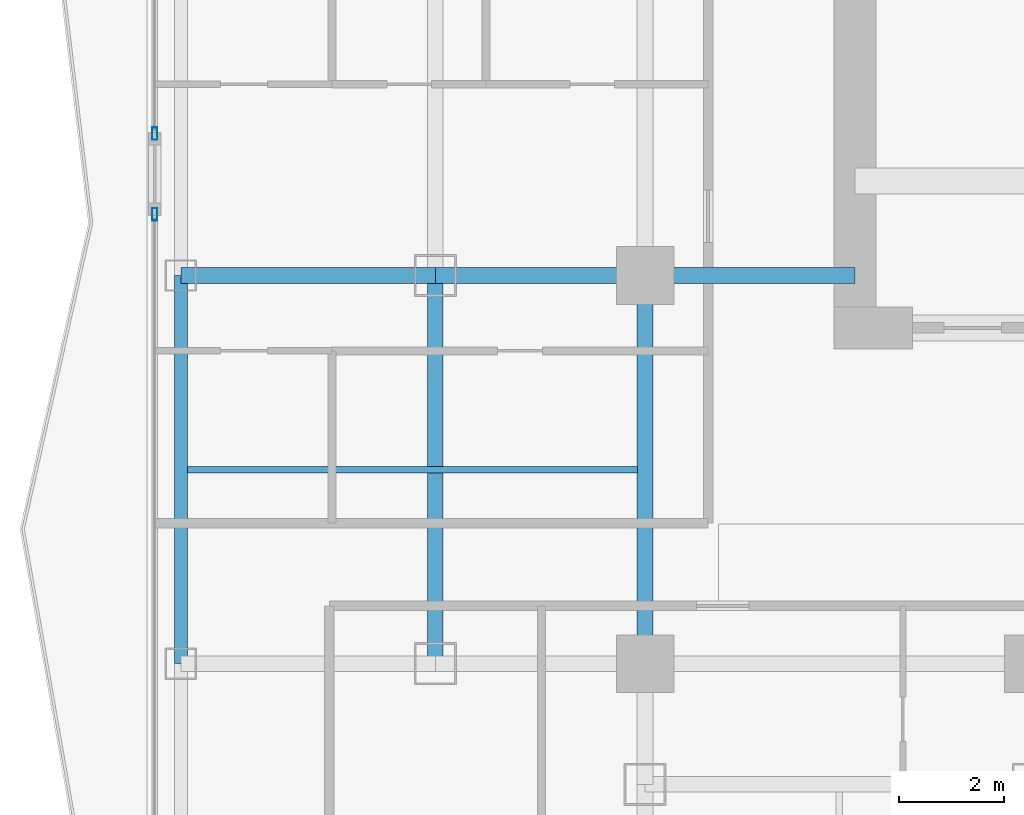
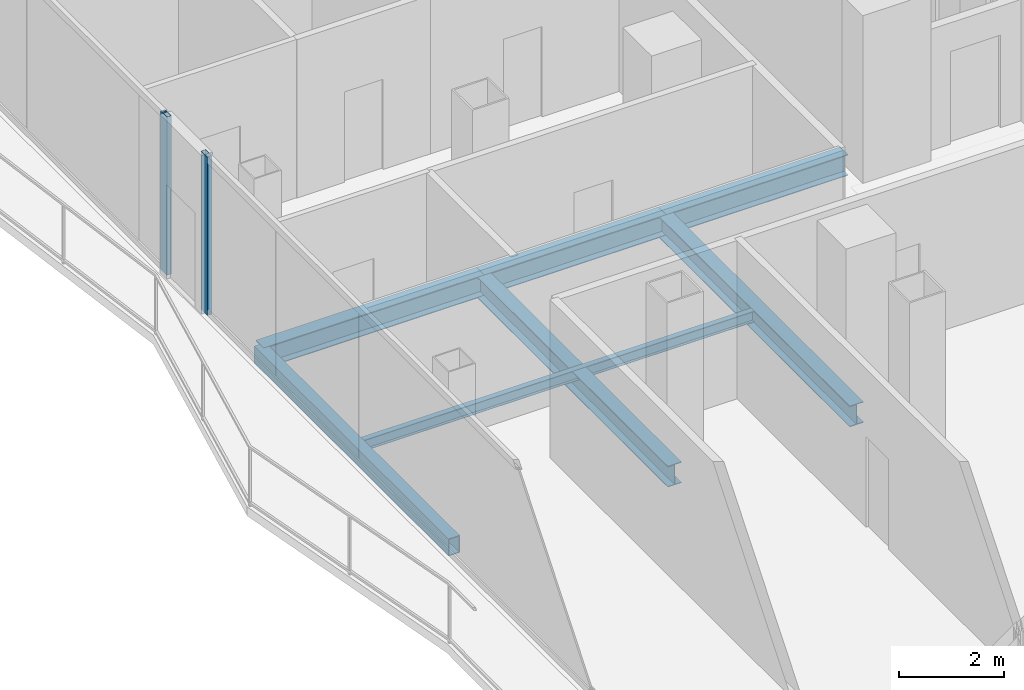
# One storey, part 5 of 23: 7 beams, 2 members, 2 elements without a shape of their own.
"""IFC4 building model written with IfcOpenShell, lengths in metres."""

import ifcopenshell
import ifcopenshell.guid

model = None  # the IFC model being written
_history = None  # IfcOwnerHistory: only IFC2X3 demands one
_inside = {}  # id of a spatial element -> (the spatial element, [elements in it])
_under = {}  # id of a project, library or spatial element -> (it, [spatial elements below it])
_declared = {}  # id of a project -> (the project, [libraries it declares])
_typed = {}  # id of a type object -> (the type object, [elements of that type])
_made_of = {}  # id of a material, layer set ... -> (it, [elements and type objects made of it])


def new_model(schema):
    """Start an empty IFC model of exactly this schema.

    Asked for "IFC4X3", IfcOpenShell would pick the latest addendum, in which some entities
    have other attributes; the version numbers below select the first issue.
    IFC2X3 requires an IfcOwnerHistory on every rooted entity: one is made here for all.
    """
    global model, _history
    if schema == "IFC4X3":
        model = ifcopenshell.file(schema_version=(4, 3, 0, 0))
    else:
        model = ifcopenshell.file(schema=schema)
    _inside.clear()
    _under.clear()
    _declared.clear()
    _typed.clear()
    _made_of.clear()
    _history = None
    if model.schema == "IFC2X3":
        org = make("IfcOrganization", Name="unknown")
        user = make(
            "IfcPersonAndOrganization",
            ThePerson=make("IfcPerson", FamilyName="unknown"),
            TheOrganization=org,
        )
        app = make(
            "IfcApplication",
            ApplicationDeveloper=org,
            Version="unknown",
            ApplicationFullName="unknown",
            ApplicationIdentifier="unknown",
        )
        _history = make(
            "IfcOwnerHistory",
            OwningUser=user,
            OwningApplication=app,
            ChangeAction="ADDED",
            CreationDate=0,
        )
    return model


def make(cls, **values):
    """One entity of the class cls with the attributes given. An attribute that is None is left unset."""
    return model.create_entity(
        cls, **{name: value for name, value in values.items() if value is not None}
    )


def rooted(cls, **values):
    """An entity with a GlobalId (a new one), such as an element, a storey or a relation."""
    return make(cls, GlobalId=ifcopenshell.guid.new(), OwnerHistory=_history, **values)


def si_unit(unit_type, name, prefix=None):
    """IfcSIUnit, for example si_unit("LENGTHUNIT", "METRE", prefix="MILLI")."""
    return make("IfcSIUnit", UnitType=unit_type, Prefix=prefix, Name=name)


def assignment(units):
    """IfcUnitAssignment: the units of a project."""
    return None if units is None else make("IfcUnitAssignment", Units=units)


def point(xyz):
    """IfcCartesianPoint."""
    return None if xyz is None else make("IfcCartesianPoint", Coordinates=xyz)


def direction(xyz):
    """IfcDirection."""
    return None if xyz is None else make("IfcDirection", DirectionRatios=xyz)


def frame(location, z_axis=None, x_axis=None):
    """IfcAxis2Placement3D, a coordinate frame: its origin and axes. An axis left out is left unset."""
    return make(
        "IfcAxis2Placement3D",
        Location=point(location),
        Axis=direction(z_axis),
        RefDirection=direction(x_axis),
    )


def frame_2d(location, x_axis=None):
    """IfcAxis2Placement2D, a coordinate frame in the plane: its origin and x axis."""
    return make(
        "IfcAxis2Placement2D", Location=point(location), RefDirection=direction(x_axis)
    )


def origin():
    """The frame at (0, 0, 0) with its axes left unset."""
    return frame((0.0, 0.0, 0.0))


def origin_2d():
    """The frame at (0, 0) in the plane with its x axis left unset."""
    return frame_2d((0.0, 0.0))


def place(relative_to, where):
    """IfcLocalPlacement: puts the frame where relative to a parent placement (None: the world)."""
    return make(
        "IfcLocalPlacement", PlacementRelTo=relative_to, RelativePlacement=where
    )


def context(
    kind, dimensions, precision=None, world=None, true_north=None, identifier=None
):
    """IfcGeometricRepresentationContext, for example the 3D "Model" context."""
    return make(
        "IfcGeometricRepresentationContext",
        ContextIdentifier=identifier,
        ContextType=kind,
        CoordinateSpaceDimension=dimensions,
        Precision=precision,
        WorldCoordinateSystem=world,
        TrueNorth=true_north,
    )


def subcontext(parent, identifier, kind, view, scale=None):
    """IfcGeometricRepresentationSubContext, for example "Body" below "Model"."""
    return make(
        "IfcGeometricRepresentationSubContext",
        ContextIdentifier=identifier,
        ContextType=kind,
        ParentContext=parent,
        TargetScale=scale,
        TargetView=view,
    )


def project(units=None, contexts=None):
    """IfcProject with its units and contexts."""
    return rooted(
        "IfcProject",
        Name="project",
        RepresentationContexts=contexts,
        UnitsInContext=assignment(units),
    )


def spatial(cls, under=None, at=None, **own):
    """A site, building, storey or space (cls), placed at a placement, below another one or the project."""
    s = rooted(cls, ObjectPlacement=at, **own)
    if under is not None:
        _under.setdefault(under.id(), (under, []))[1].append(s)
    return s


def profile(cls, at=None, kind="AREA", **sizes):
    """A parametric profile (cls). Its sizes go by their IFC names, for example OverallWidth=200.0."""
    return make(cls, ProfileType=kind, Position=at, **sizes)


def hollow_rectangle(**sizes):
    """IfcRectangleHollowProfileDef."""
    return profile("IfcRectangleHollowProfileDef", **sizes)


def i_section(**sizes):
    """IfcIShapeProfileDef."""
    return profile("IfcIShapeProfileDef", **sizes)


def extrude(swept, where, along, depth):
    """IfcExtrudedAreaSolid: the profile swept, set in the frame where, extruded along a direction by depth."""
    return make(
        "IfcExtrudedAreaSolid",
        SweptArea=swept,
        Position=where,
        ExtrudedDirection=direction(along),
        Depth=depth,
    )


def shape(context_of_items, identifier, shape_type, items):
    """IfcShapeRepresentation: the items that make up one representation, for example the "Body"."""
    return make(
        "IfcShapeRepresentation",
        ContextOfItems=context_of_items,
        RepresentationIdentifier=identifier,
        RepresentationType=shape_type,
        Items=items,
    )


def material(Name=None, Category=None):
    """IfcMaterial."""
    return make("IfcMaterial", Name=Name, Category=Category)


def layer(
    of_material, thickness, ventilated=None, Name=None, Category=None, Priority=None
):
    """IfcMaterialLayer: one layer of a wall or slab, of a material (None: an air gap)."""
    return make(
        "IfcMaterialLayer",
        Material=of_material,
        LayerThickness=thickness,
        IsVentilated=ventilated,
        Name=Name,
        Category=Category,
        Priority=Priority,
    )


def layer_set(layers, Name=None):
    """IfcMaterialLayerSet."""
    return make("IfcMaterialLayerSet", MaterialLayers=layers, LayerSetName=Name)


def material_profile(
    of_material, cross_section, Name=None, Category=None, Priority=None
):
    """IfcMaterialProfile: a cross section and its material."""
    return make(
        "IfcMaterialProfile",
        Name=Name,
        Material=of_material,
        Profile=cross_section,
        Priority=Priority,
        Category=Category,
    )


def profile_set(profiles, Name=None, composite=None):
    """IfcMaterialProfileSet."""
    return make(
        "IfcMaterialProfileSet",
        Name=Name,
        MaterialProfiles=profiles,
        CompositeProfile=composite,
    )


def made_of(thing, what):
    """Note that an element or type object is made of a material, layer set ...; save() writes the relation."""
    if what is not None:
        _made_of.setdefault(what.id(), (what, []))[1].append(thing)
    return thing


def type_object(cls, material=None, **own):
    """A type object (cls), such as IfcWallType, which elements share."""
    return made_of(rooted(cls, **own), material)


def element(
    cls,
    number,
    at=None,
    inside=None,
    cuts=None,
    type_object=None,
    material=None,
    context=None,
    identifier="Body",
    shape_type=None,
    held_by="IfcProductDefinitionShape",
    body=None,
    shapes=None,
    **own,
):
    """One element of the class cls, such as IfcWall. Its Tag is "e" and its number.

    at: its placement. inside: the storey or other place that contains it. cuts: it is an
    opening in that element (IfcRelVoidsElement). A single representation is given by context,
    identifier, shape_type and body (its items); several are given by shapes. held_by: the class
    of the entity that holds the representations. save() writes the other relations.
    """
    e = rooted(cls, Tag="e%d" % number, ObjectPlacement=at, **own)
    if body is not None:
        shapes = [shape(context, identifier, shape_type, body)]
    if shapes is not None:
        e.Representation = make(held_by, Representations=shapes)
    if inside is not None:
        _inside.setdefault(inside.id(), (inside, []))[1].append(e)
    if cuts is not None:
        rooted(
            "IfcRelVoidsElement", RelatingBuildingElement=cuts, RelatedOpeningElement=e
        )
    if type_object is not None:
        _typed.setdefault(type_object.id(), (type_object, []))[1].append(e)
    return made_of(e, material)


def aggregate(whole, parts):
    """IfcRelAggregates: a whole, such as a stair, and the parts it consists of."""
    return rooted("IfcRelAggregates", RelatingObject=whole, RelatedObjects=parts)


def save(model, path):
    """Write the relations noted so far, then the file.

    IfcRelAggregates (storeys below a building ...), IfcRelContainedInSpatialStructure (elements
    in a storey), IfcRelDefinesByType, IfcRelAssociatesMaterial and IfcRelDeclares: one each for
    every whole, place, type object, material and project.
    """
    for whole, parts in _under.values():
        aggregate(whole, parts)
    for where, things in _inside.values():
        rooted(
            "IfcRelContainedInSpatialStructure",
            RelatedElements=things,
            RelatingStructure=where,
        )
    for kind, things in _typed.values():
        rooted("IfcRelDefinesByType", RelatedObjects=things, RelatingType=kind)
    for what, things in _made_of.values():
        rooted("IfcRelAssociatesMaterial", RelatedObjects=things, RelatingMaterial=what)
    for by, libraries in _declared.values():
        rooted("IfcRelDeclares", RelatingContext=by, RelatedDefinitions=libraries)
    model.write(path)


model = new_model("IFC4")

# Units and contexts
model_context = context("Model", 3, precision=1e-05, world=origin(), true_north=direction((0.0, 1.0)))
body_context = subcontext(model_context, "Body", "Model", "MODEL_VIEW")
ifc_project = project(units=[si_unit("LENGTHUNIT", "METRE"), si_unit("AREAUNIT", "SQUARE_METRE"), si_unit("VOLUMEUNIT", "CUBIC_METRE"), si_unit("PLANEANGLEUNIT", "RADIAN"), si_unit("MASSUNIT", "GRAM", prefix="KILO")], contexts=[model_context])

# Site, building, storey
site_placement = place(None, origin())
site = spatial("IfcSite", under=ifc_project, at=site_placement, CompositionType="ELEMENT")
building_placement = place(site_placement, origin())
building = spatial("IfcBuilding", under=site, at=building_placement, Name="Khorvyn Point Tower", CompositionType="ELEMENT")
storey_placement = place(building_placement, frame((0.0, 0.0, 195.300048828125)))
storey = spatial("IfcBuildingStorey", under=building, at=storey_placement, Name="L48", CompositionType="ELEMENT", Elevation=195.300048828125)

# Curtain wall, member
ifc_material_1 = material(Name="Anodised aluminium 6063-T6 and laminated Low-E glass", Category="aluminium")
ifc_layer = layer(ifc_material_1, 0.18994140625)
ifc_layer_set = layer_set([ifc_layer], Name="Stick-Built Acoustic Curtain Wall CW-SYS-03")
curtain_wall_type = type_object("IfcCurtainWallType", Name="Stick-Built Acoustic Curtain Wall CW-SYS-03", PredefinedType="NOTDEFINED", material=ifc_layer_set)
curtain_wall_1_placement = place(storey_placement, origin())
curtain_wall_1 = element("IfcCurtainWall", 1, at=curtain_wall_1_placement, inside=storey, type_object=curtain_wall_type, Name="Curtain Wall", PredefinedType="NOTDEFINED")
ifc_material_2 = material(Name="Anodised aluminium 6063-T6", Category="aluminium")
ifc_material_profile_1 = material_profile(ifc_material_2, hollow_rectangle(XDim=0.10009765625, YDim=0.239990234375, WallThickness=0.0048828125, at=origin_2d()))
ifc_profile_set_1 = profile_set([ifc_material_profile_1], Name="Anodised aluminium 6063-T6 ALU-MUL-100x240")
member_type = type_object("IfcMemberType", Name="Anodised Aluminium 6063-T6 Mullion ALU-MUL-100x240", PredefinedType="MULLION", material=ifc_profile_set_1)
member_1_placement = place(storey_placement, frame((-24.14990234375, -6.23388671875, 0.0), z_axis=(0.0, 0.0, 1.0), x_axis=(-1.0, 0.0, 0.0)))
member_1 = element("IfcMember", 2, at=member_1_placement, type_object=member_type, Name="Transom", PredefinedType="MULLION", context=body_context, shape_type="SweptSolid", body=[
    extrude(hollow_rectangle(XDim=0.10009765625, YDim=0.239990234375, WallThickness=0.0048828125, at=origin_2d()), origin(), (0.0, 0.0, 1.0), 3.679931640625),
])
aggregate(curtain_wall_1, [member_1])

curtain_wall_2_placement = place(storey_placement, origin())
curtain_wall_2 = element("IfcCurtainWall", 3, at=curtain_wall_2_placement, inside=storey, type_object=curtain_wall_type, Name="Curtain Wall", PredefinedType="NOTDEFINED")
member_2_placement = place(storey_placement, frame((-24.14990234375, -4.694091796875, 0.0), z_axis=(0.0, 0.0, 1.0), x_axis=(-1.0, 0.0, 0.0)))
member_2 = element("IfcMember", 4, at=member_2_placement, type_object=member_type, Name="Transom", PredefinedType="MULLION", context=body_context, shape_type="SweptSolid", body=[
    extrude(hollow_rectangle(XDim=0.10009765625, YDim=0.239990234375, WallThickness=0.0048828125, at=origin_2d()), origin(), (0.0, 0.0, 1.0), 3.679931640625),
])
aggregate(curtain_wall_2, [member_2])

# Beams
ifc_material_3 = material(Name="Steel S355", Category="steel")
ifc_material_profile_2 = material_profile(ifc_material_3, i_section(OverallWidth=0.125, OverallDepth=0.25, WebThickness=0.006103515625, FlangeThickness=0.009033203125, at=origin_2d()))
ifc_profile_set_2 = profile_set([ifc_material_profile_2], Name="Steel S355 H250x125x6x9")
beam_type_1 = type_object("IfcBeamType", Name="Steel S355 Joist H250x125x6x9", PredefinedType="JOIST", material=ifc_profile_set_2)
beam_1_placement = place(storey_placement, frame((-23.52490234375, -11.10009765625, -0.344970703125), z_axis=(1.0, 0.0, 0.0), x_axis=(0.0, 1.0, 0.0)))
element("IfcBeam", 5, at=beam_1_placement, inside=storey, type_object=beam_type_1, Name="Beam", PredefinedType="JOIST", context=body_context, shape_type="SweptSolid", body=[
    extrude(i_section(OverallWidth=0.125, OverallDepth=0.25, WebThickness=0.006103515625, FlangeThickness=0.009033203125, at=origin_2d()), origin(), (0.0, 0.0, 1.0), 8.574951171875),
])
ifc_material_profile_3 = material_profile(ifc_material_3, i_section(OverallWidth=0.300048828125, OverallDepth=0.488037109375, WebThickness=0.010986328125, FlangeThickness=0.01806640625, at=origin_2d()))
ifc_profile_set_3 = profile_set([ifc_material_profile_3], Name="Steel S355 H488x300x11x18")
beam_type_2 = type_object("IfcBeamType", Name="Steel S355 Spandrel H488x300x11x18", PredefinedType="SPANDREL", material=ifc_profile_set_3)
beam_2_placement = place(storey_placement, frame((-23.64990234375, -7.39990234375, -0.464111328125), z_axis=(1.0, 0.0, 0.0), x_axis=(0.0, 1.0, 0.0)))
element("IfcBeam", 6, at=beam_2_placement, inside=storey, type_object=beam_type_2, Name="Beam", PredefinedType="SPANDREL", context=body_context, shape_type="SweptSolid", body=[
    extrude(i_section(OverallWidth=0.300048828125, OverallDepth=0.488037109375, WebThickness=0.010986328125, FlangeThickness=0.01806640625, at=origin_2d()), origin(), (0.0, 0.0, 1.0), 4.849853515625),
])
for number, where, z_axis, x_axis, name in (
    (7, (-18.800048828125, -7.39990234375, -0.464111328125), (1.0, 0.0, 0.0), (0.0, 1.0, 0.0), "Beam"),
    (8, (-14.800048828125, -7.39990234375, -0.464111328125), (1.0, 0.0, 0.0), (0.0, 1.0, 0.0), "Beam"),
):
    element("IfcBeam", number, at=place(storey_placement, frame(where, z_axis=z_axis, x_axis=x_axis)), inside=storey, type_object=beam_type_2, Name=name, PredefinedType="SPANDREL", context=body_context, shape_type="SweptSolid", body=[
        extrude(i_section(OverallWidth=0.300048828125, OverallDepth=0.488037109375, WebThickness=0.010986328125, FlangeThickness=0.01806640625, at=origin_2d()), origin(), (0.0, 0.0, 1.0), 4.0),
    ])
for number, where, z_axis, x_axis, name in (
    (9, (-14.800048828125, -14.800048828125, -0.464111328125), (0.0, 1.0, 0.0), (-1.0, 0.0, 0.0), "Beam"),
    (10, (-18.800048828125, -14.800048828125, -0.464111328125), (0.0, 1.0, 0.0), (-1.0, 0.0, 0.0), "Beam"),
):
    element("IfcBeam", number, at=place(storey_placement, frame(where, z_axis=z_axis, x_axis=x_axis)), inside=storey, type_object=beam_type_2, Name=name, PredefinedType="SPANDREL", context=body_context, shape_type="SweptSolid", body=[
        extrude(i_section(OverallWidth=0.300048828125, OverallDepth=0.488037109375, WebThickness=0.010986328125, FlangeThickness=0.01806640625, at=origin_2d()), origin(), (0.0, 0.0, 1.0), 7.400146484375),
    ])
ifc_material_profile_4 = material_profile(ifc_material_3, hollow_rectangle(XDim=0.25, YDim=0.39990234375, WallThickness=0.01611328125, at=origin_2d()))
ifc_profile_set_4 = profile_set([ifc_material_profile_4], Name="Steel S355 RHS400x250x16")
beam_type_3 = type_object("IfcBeamType", Name="Steel S355 Spandrel RHS400x250x16", PredefinedType="SPANDREL", material=ifc_profile_set_4)
beam_3_placement = place(storey_placement, frame((-23.64990234375, -14.800048828125, -0.420166015625), z_axis=(0.0, 1.0, 0.0), x_axis=(-1.0, 0.0, 0.0)))
element("IfcBeam", 11, at=beam_3_placement, inside=storey, type_object=beam_type_3, Name="Beam", PredefinedType="SPANDREL", context=body_context, shape_type="SweptSolid", body=[
    extrude(hollow_rectangle(XDim=0.25, YDim=0.39990234375, WallThickness=0.01611328125, at=origin_2d()), origin(), (0.0, 0.0, 1.0), 7.400146484375),
])

save(model, "model.ifc")
